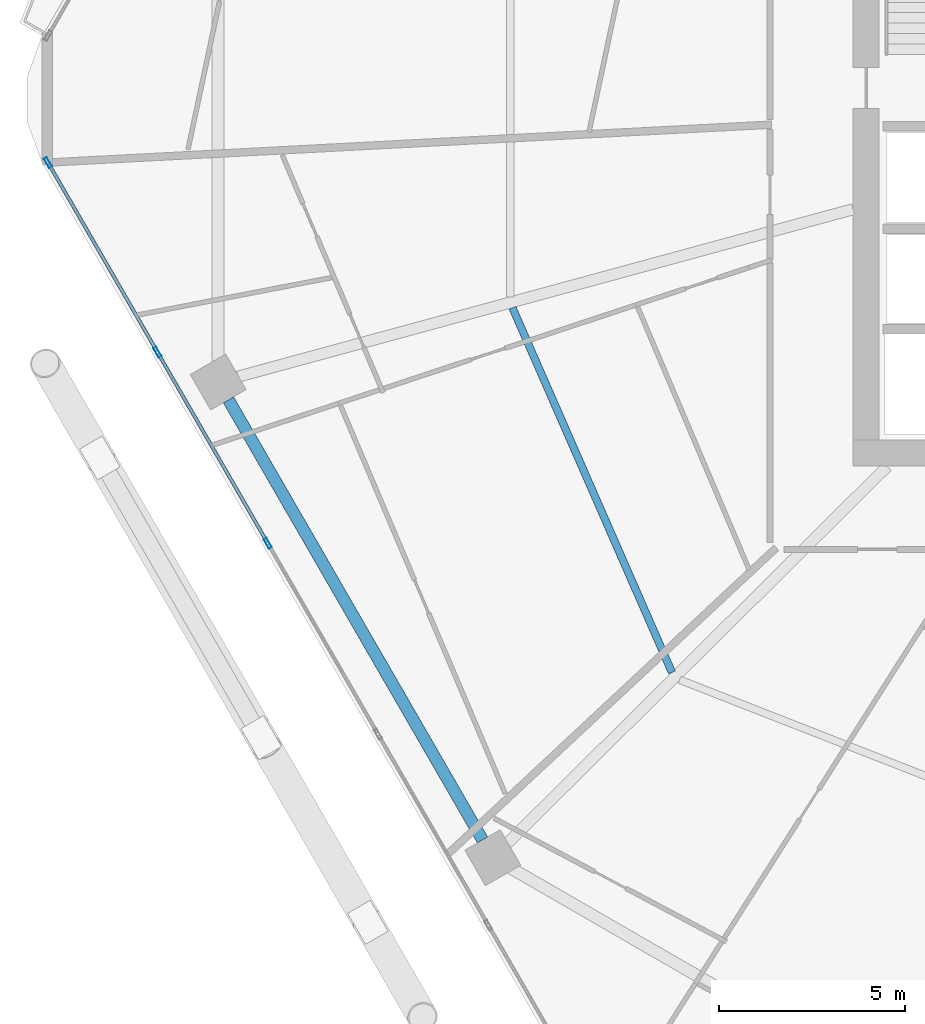
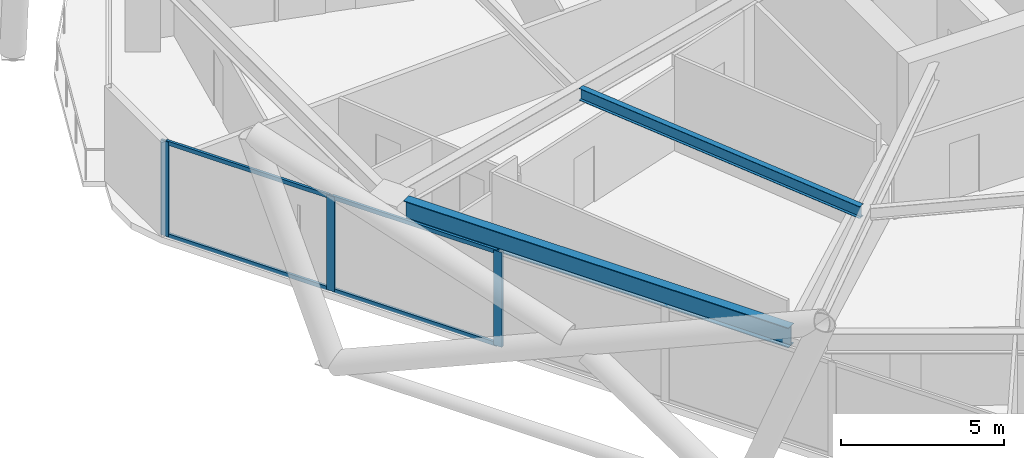
# One storey, part 5 of 34: 7 members, 2 beams, 1 element without a shape of its own.
"""IFC4 building model written with IfcOpenShell, lengths in metres."""

from ifc_helpers import new_model, si_unit, direction, frame, origin, origin_2d, place, context, subcontext, project, spatial, hollow_rectangle, i_section, extrude, material, material_profile, profile_set, type_object, element, aggregate, save


model = new_model("IFC4")

# Units and contexts
model_context = context("Model", 3, precision=1e-05, world=origin(), true_north=direction((0.0, 1.0)))
body_context = subcontext(model_context, "Body", "Model", "MODEL_VIEW")
ifc_project = project(units=[si_unit("LENGTHUNIT", "METRE"), si_unit("AREAUNIT", "SQUARE_METRE"), si_unit("VOLUMEUNIT", "CUBIC_METRE"), si_unit("PLANEANGLEUNIT", "RADIAN"), si_unit("MASSUNIT", "GRAM", prefix="KILO")], contexts=[model_context])

# Site, building, storey
site_placement = place(None, origin())
site = spatial("IfcSite", under=ifc_project, at=site_placement, CompositionType="ELEMENT")
building_placement = place(site_placement, origin())
building = spatial("IfcBuilding", under=site, at=building_placement, Name="Zuhravey Tower", CompositionType="ELEMENT")
storey_placement = place(building_placement, frame((0.0, 0.0, 130.39990234375)))
storey = spatial("IfcBuildingStorey", under=building, at=storey_placement, Name="L32", CompositionType="ELEMENT", Elevation=130.39990234375)

# Curtain wall, members
ifc_material_1 = material(Name="Thermally broken anodised aluminium", Category="aluminium")
curtain_wall_type = type_object("IfcCurtainWallType", Name="Zone 1-2 Residential Curtain Wall CW3", PredefinedType="NOTDEFINED", material=ifc_material_1)
curtain_wall_placement = place(storey_placement, origin())
curtain_wall = element("IfcCurtainWall", 1, at=curtain_wall_placement, inside=storey, type_object=curtain_wall_type, Name="L32 CW3 CW-L32-F4-1", PredefinedType="NOTDEFINED")
ifc_material_2 = material(Name="Anodised aluminium", Category="aluminium")
ifc_material_profile_1 = material_profile(ifc_material_2, hollow_rectangle(XDim=0.090087890625, YDim=0.284912109375, WallThickness=0.0048828125, at=origin_2d()), Name="ALU-RHS-90x285x5")
ifc_profile_set_1 = profile_set([ifc_material_profile_1], Name="Anodised aluminium")
member_type_1 = type_object("IfcMemberType", Name="Curtain-Wall Mullion 90x180", PredefinedType="MULLION", material=ifc_profile_set_1)
member_1_placement = place(storey_placement, frame((9.44140625, 20.083984375, 0.0), z_axis=(0.0, 0.0, 1.0), x_axis=(-0.86602552265, -0.499999794119, 0.0)))
member_1 = element("IfcMember", 2, at=member_1_placement, type_object=member_type_1, Name="CW3 mullion 4", PredefinedType="MULLION", context=body_context, shape_type="SweptSolid", body=[
    extrude(hollow_rectangle(XDim=0.090087890625, YDim=0.284912109375, WallThickness=0.0048828125, at=origin_2d()), origin(), (0.0, 0.0, 1.0), 3.550048828125),
])
member_2_placement = place(storey_placement, frame((6.4814453125, 25.210693359375, 0.0), z_axis=(0.0, 0.0, 1.0), x_axis=(-0.86602552265, -0.499999794119, 0.0)))
member_2 = element("IfcMember", 3, at=member_2_placement, type_object=member_type_1, Name="CW3 mullion 5", PredefinedType="MULLION", context=body_context, shape_type="SweptSolid", body=[
    extrude(hollow_rectangle(XDim=0.090087890625, YDim=0.284912109375, WallThickness=0.0048828125, at=origin_2d()), origin(), (0.0, 0.0, 1.0), 3.550048828125),
])
member_3_placement = place(storey_placement, frame((3.5439453125, 30.298583984375, 0.0), z_axis=(0.0, 0.0, 1.0), x_axis=(-0.86602552265, -0.499999794119, 0.0)))
member_3 = element("IfcMember", 4, at=member_3_placement, type_object=member_type_1, Name="CW3 mullion 6", PredefinedType="MULLION", context=body_context, shape_type="SweptSolid", body=[
    extrude(hollow_rectangle(XDim=0.090087890625, YDim=0.284912109375, WallThickness=0.0048828125, at=origin_2d()), origin(), (0.0, 0.0, 1.0), 3.550048828125),
])
ifc_material_profile_2 = material_profile(ifc_material_2, hollow_rectangle(XDim=0.090087890625, YDim=0.14990234375, WallThickness=0.0048828125, at=origin_2d()), Name="ALU-RHS-90x150x5")
ifc_profile_set_2 = profile_set([ifc_material_profile_2], Name="Anodised aluminium")
member_type_2 = type_object("IfcMemberType", Name="Curtain-Wall Transom 90x150", PredefinedType="USERDEFINED", material=ifc_profile_set_2)
member_4_placement = place(storey_placement, frame((9.418701171875, 20.123046875, 0.045166015625), z_axis=(-0.499981042766, 0.866036348472, 0.0), x_axis=(-0.866036348472, -0.499981042766, 0.0)))
member_4 = element("IfcMember", 5, at=member_4_placement, type_object=member_type_2, Name="CW3 transom 4.1", ObjectType="TRANSOM", PredefinedType="USERDEFINED", context=body_context, shape_type="SweptSolid", body=[
    extrude(hollow_rectangle(XDim=0.090087890625, YDim=0.14990234375, WallThickness=0.0048828125, at=origin_2d()), origin(), (0.0, 0.0, 1.0), 5.829833984375),
])
member_5_placement = place(storey_placement, frame((9.418701171875, 20.123046875, 3.505126953125), z_axis=(-0.499981042766, 0.866036348472, 0.0), x_axis=(-0.866036348472, -0.499981042766, 0.0)))
member_5 = element("IfcMember", 6, at=member_5_placement, type_object=member_type_2, Name="CW3 transom 4.2", ObjectType="TRANSOM", PredefinedType="USERDEFINED", context=body_context, shape_type="SweptSolid", body=[
    extrude(hollow_rectangle(XDim=0.090087890625, YDim=0.14990234375, WallThickness=0.0048828125, at=origin_2d()), origin(), (0.0, 0.0, 1.0), 5.829833984375),
])
member_6_placement = place(storey_placement, frame((6.458984375, 25.249755859375, 0.045166015625), z_axis=(-0.500024450573, 0.866011286779, 0.0), x_axis=(-0.866011286779, -0.500024450573, 0.0)))
member_6 = element("IfcMember", 7, at=member_6_placement, type_object=member_type_2, Name="CW3 transom 5.1", ObjectType="TRANSOM", PredefinedType="USERDEFINED", context=body_context, shape_type="SweptSolid", body=[
    extrude(hollow_rectangle(XDim=0.090087890625, YDim=0.14990234375, WallThickness=0.0048828125, at=origin_2d()), origin(), (0.0, 0.0, 1.0), 5.784912109375),
])
member_7_placement = place(storey_placement, frame((6.458984375, 25.249755859375, 3.505126953125), z_axis=(-0.500024450573, 0.866011286779, 0.0), x_axis=(-0.866011286779, -0.500024450573, 0.0)))
member_7 = element("IfcMember", 8, at=member_7_placement, type_object=member_type_2, Name="CW3 transom 5.2", ObjectType="TRANSOM", PredefinedType="USERDEFINED", context=body_context, shape_type="SweptSolid", body=[
    extrude(hollow_rectangle(XDim=0.090087890625, YDim=0.14990234375, WallThickness=0.0048828125, at=origin_2d()), origin(), (0.0, 0.0, 1.0), 5.784912109375),
])
aggregate(curtain_wall, [member_1, member_2, member_3, member_4, member_5, member_6, member_7])

# Beams
ifc_material_3 = material(Name="Steel SM355", Category="steel")
ifc_material_profile_3 = material_profile(ifc_material_3, i_section(OverallWidth=0.320068359375, OverallDepth=0.75, WebThickness=0.013916015625, FlangeThickness=0.02490234375, at=origin_2d()), Name="H-750x320x14x25")
ifc_profile_set_3 = profile_set([ifc_material_profile_3], Name="Steel SM355")
beam_type_1 = type_object("IfcBeamType", Name="Perimeter Ring Beam H750x320", PredefinedType="BEAM", material=ifc_profile_set_3)
beam_1_placement = place(storey_placement, frame((8.387451171875, 23.929443359375, 3.175048828125), z_axis=(0.500008177929, -0.866020682204, 0.0), x_axis=(0.866020682204, 0.500008177929, 0.0)))
element("IfcBeam", 9, at=beam_1_placement, inside=storey, type_object=beam_type_1, Name="L32 PB1 BM-L32-PB-07", PredefinedType="BEAM", context=body_context, shape_type="SweptSolid", body=[
    extrude(i_section(OverallWidth=0.320068359375, OverallDepth=0.75, WebThickness=0.013916015625, FlangeThickness=0.02490234375, at=origin_2d()), origin(), (0.0, 0.0, 1.0), 13.634033203125),
])
ifc_material_profile_4 = material_profile(ifc_material_3, i_section(OverallWidth=0.199951171875, OverallDepth=0.449951171875, WebThickness=0.009033203125, FlangeThickness=0.013916015625, at=origin_2d()), Name="H-450x200x9x14")
ifc_profile_set_4 = profile_set([ifc_material_profile_4], Name="Steel SM355")
beam_type_2 = type_object("IfcBeamType", Name="Secondary Floor Joist H450x200", PredefinedType="JOIST", material=ifc_profile_set_4)
beam_2_placement = place(storey_placement, frame((16.00927734375, 26.400390625, 3.3251953125), z_axis=(0.400786454617, -0.916171500209, 0.0), x_axis=(0.916171500209, 0.400786454617, 0.0)))
element("IfcBeam", 10, at=beam_2_placement, inside=storey, type_object=beam_type_2, Name="L32 SJ1 BM-L32-SJ-07-1", PredefinedType="JOIST", context=body_context, shape_type="SweptSolid", body=[
    extrude(i_section(OverallWidth=0.199951171875, OverallDepth=0.449951171875, WebThickness=0.009033203125, FlangeThickness=0.013916015625, at=origin_2d()), origin(), (0.0, 0.0, 1.0), 10.6796875),
])

save(model, "model.ifc")
